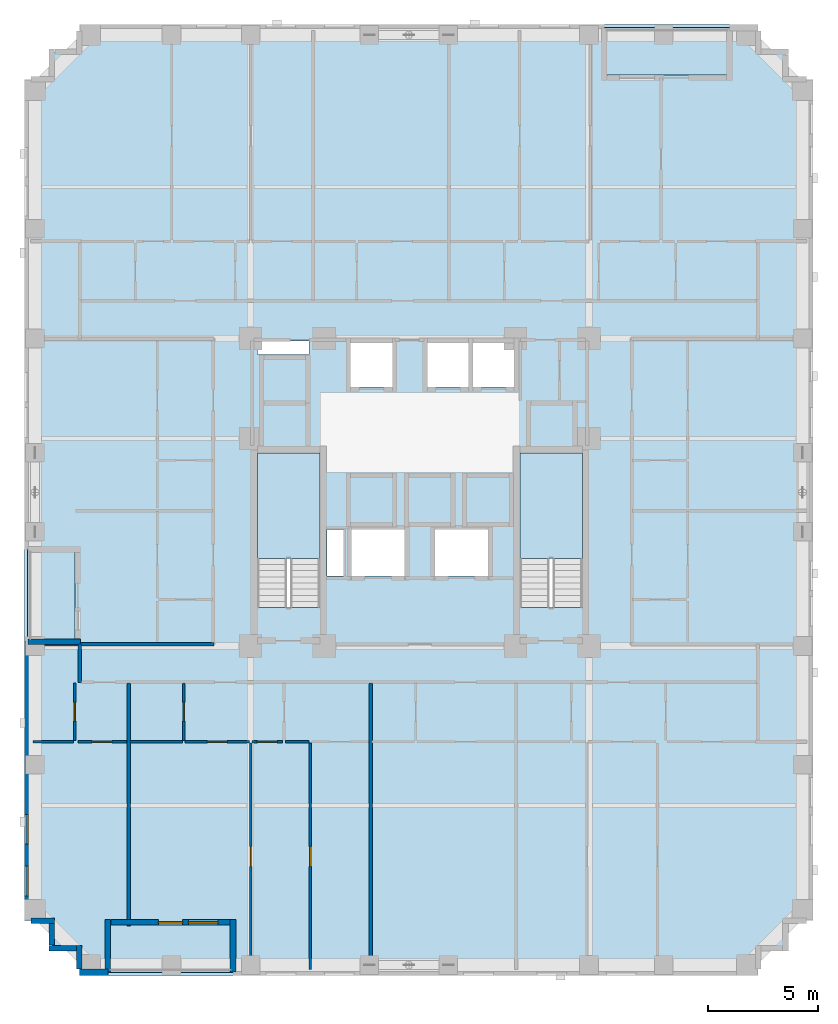
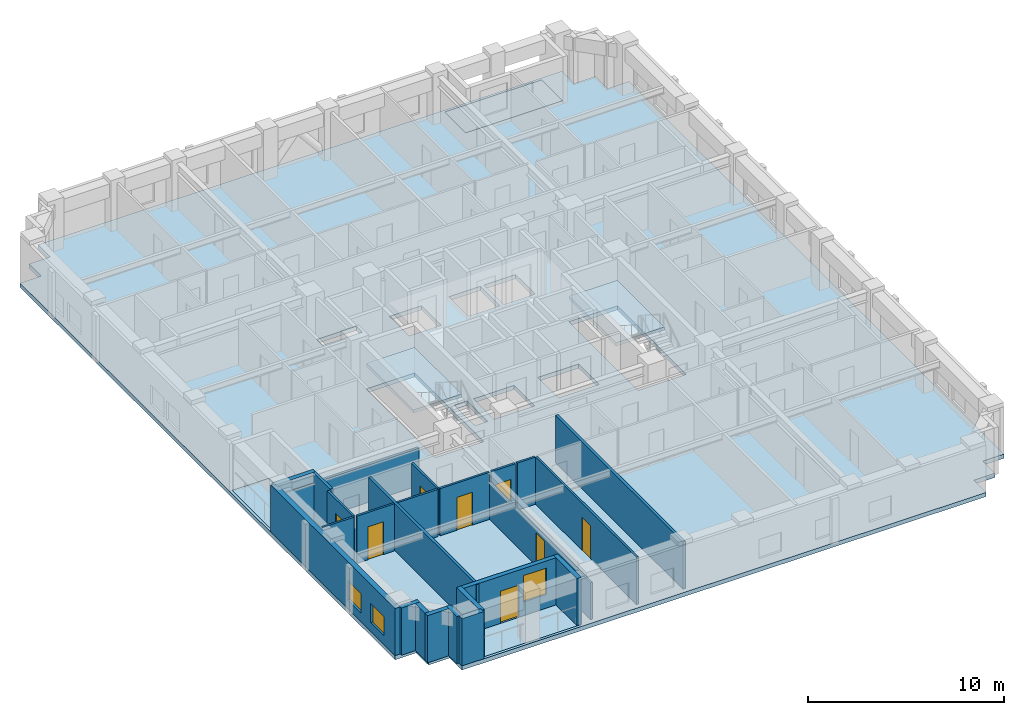
# One storey, part 2 of 12: 24 walls, 8 doors, 6 slabs, 3 windows, 11 openings, 2 elements without a shape of their own.
"""IFC4 building model written with IfcOpenShell, lengths in metres."""

from ifc_helpers import new_model, si_unit, derived_unit, direction, frame, frame_2d, origin, place, context, subcontext, project, spatial, polyline, rectangle, outline, extrude, material, layer, layer_set, type_object, element, fill, aggregate, save


model = new_model("IFC4")

# Units and contexts
model_context = context("Model", 3, precision=1e-05, world=origin(), true_north=direction((0.0, 1.0)))
body_context = subcontext(model_context, "Body", "Model", "MODEL_VIEW")
ifc_project = project(units=[si_unit("LENGTHUNIT", "METRE"), si_unit("AREAUNIT", "SQUARE_METRE"), si_unit("VOLUMEUNIT", "CUBIC_METRE"), si_unit("PLANEANGLEUNIT", "RADIAN"), si_unit("MASSUNIT", "GRAM", prefix="KILO"), derived_unit("THERMALTRANSMITTANCEUNIT", [(si_unit("MASSUNIT", "GRAM", prefix="KILO"), 1), (si_unit("TIMEUNIT", "SECOND"), -3), (si_unit("THERMODYNAMICTEMPERATUREUNIT", "KELVIN"), -1)])], contexts=[model_context])

# Site, building, storey
site_placement = place(None, origin())
site = spatial("IfcSite", under=ifc_project, at=site_placement, CompositionType="ELEMENT")
building_placement = place(site_placement, origin())
building = spatial("IfcBuilding", under=site, at=building_placement, Name="Korrvale Station Residences", CompositionType="ELEMENT")
storey_placement = place(building_placement, frame((0.0, 0.0, 94.300048828125)))
storey = spatial("IfcBuildingStorey", under=building, at=storey_placement, Name="L26", CompositionType="ELEMENT", Elevation=94.300048828125)

# Slabs
ifc_material_1 = material(Name="Concrete C50/60", Category="concrete")
ifc_layer_1 = layer(ifc_material_1, 0.219970703125, Name="Concrete C50/60")
ifc_layer_set_1 = layer_set([ifc_layer_1], Name="Concrete C50/60")
slab_type_1 = type_object("IfcSlabType", Name="SLB-BAL-220", PredefinedType="FLOOR", material=ifc_layer_set_1)
slab_1_placement = place(storey_placement, frame((0.0, 0.0, -0.219970703125)))
element("IfcSlab", 1, at=slab_1_placement, inside=storey, type_object=slab_type_1, Name="L26 Recessed Loggia Balcony Slab BAL-L26-S1", PredefinedType="FLOOR", context=body_context, shape_type="SweptSolid", body=[
    extrude(outline(polyline([(11.300048828125, 0.14990234375), (17.0, 0.14990234375), (17.0, 2.300048828125), (11.300048828125, 2.300048828125), (11.300048828125, 0.14990234375)])), origin(), (0.0, 0.0, 1.0), 0.219970703125),
])
slab_2_placement = place(storey_placement, frame((0.0, 0.0, -0.219970703125)))
element("IfcSlab", 2, at=slab_2_placement, inside=storey, type_object=slab_type_1, Name="L26 Recessed Loggia Balcony Slab BAL-L26-N1", PredefinedType="FLOOR", context=body_context, shape_type="SweptSolid", body=[
    extrude(outline(polyline([(33.89990234375, 41.0), (39.60009765625, 41.0), (39.60009765625, 43.14990234375), (33.89990234375, 43.14990234375), (33.89990234375, 41.0)])), origin(), (0.0, 0.0, 1.0), 0.219970703125),
])
slab_3_placement = place(storey_placement, frame((0.0, 0.0, -0.219970703125)))
element("IfcSlab", 3, at=slab_3_placement, inside=storey, type_object=slab_type_1, Name="L26 Recessed Loggia Balcony Slab BAL-L26-W1", PredefinedType="FLOOR", context=body_context, shape_type="SweptSolid", body=[
    extrude(outline(polyline([(7.64990234375, 15.199951171875), (9.800048828125, 15.199951171875), (9.800048828125, 19.39990234375), (7.64990234375, 19.39990234375), (7.64990234375, 15.199951171875)])), origin(), (0.0, 0.0, 1.0), 0.219970703125),
])
ifc_layer_2 = layer(ifc_material_1, 0.260009765625, Name="Concrete C50/60")
ifc_layer_set_2 = layer_set([ifc_layer_2], Name="Concrete C50/60")
slab_type_2 = type_object("IfcSlabType", Name="SLB-FLR-260", PredefinedType="FLOOR", material=ifc_layer_set_2)
slab_4_placement = place(storey_placement, frame((0.0, 0.0, -0.260009765625)))
element("IfcSlab", 4, at=slab_4_placement, inside=storey, type_object=slab_type_2, Name="L26 Suspended Structural Floor Slab", PredefinedType="FLOOR", context=body_context, shape_type="SweptSolid", body=[
    extrude(outline(polyline([(10.0, 0.0), (40.89990234375, 0.0), (40.89990234375, 1.25), (42.14990234375, 1.25), (42.14990234375, 2.5), (43.39990234375, 2.5), (43.39990234375, 40.800048828125), (42.14990234375, 40.800048828125), (42.14990234375, 42.050048828125), (40.89990234375, 42.050048828125), (40.89990234375, 43.300048828125), (10.0, 43.300048828125), (10.0, 42.050048828125), (8.75, 42.050048828125), (8.75, 40.800048828125), (7.5, 40.800048828125), (7.5, 2.5), (8.75, 2.5), (8.75, 1.25), (10.0, 1.25), (10.0, 0.0)]), holes=[polyline([(20.949951171875, 16.751953125), (20.949951171875, 23.800048828125), (18.10009765625, 23.800048828125), (18.10009765625, 16.751953125), (20.949951171875, 16.751953125)]), polyline([(32.89990234375, 16.751953125), (32.89990234375, 23.800048828125), (30.050048828125, 23.800048828125), (30.050048828125, 16.751953125), (32.89990234375, 16.751953125)]), polyline([(22.35009765625, 26.800048828125), (24.25, 26.800048828125), (24.25, 28.800048828125), (22.35009765625, 28.800048828125), (22.35009765625, 26.800048828125)]), polyline([(25.85009765625, 26.800048828125), (27.7099609375, 26.800048828125), (27.7099609375, 28.800048828125), (25.85009765625, 28.800048828125), (25.85009765625, 26.800048828125)]), polyline([(27.929931640625, 26.800048828125), (29.7900390625, 26.800048828125), (29.7900390625, 28.800048828125), (27.929931640625, 28.800048828125), (27.929931640625, 26.800048828125)]), polyline([(22.39990234375, 18.199951171875), (24.800048828125, 18.199951171875), (24.800048828125, 20.300048828125), (22.39990234375, 20.300048828125), (22.39990234375, 18.199951171875)]), polyline([(26.199951171875, 18.199951171875), (28.60009765625, 18.199951171875), (28.60009765625, 20.300048828125), (26.199951171875, 20.300048828125), (26.199951171875, 18.199951171875)]), polyline([(18.10009765625, 28.280029296875), (20.449951171875, 28.280029296875), (20.449951171875, 28.8798828125), (18.10009765625, 28.8798828125), (18.10009765625, 28.280029296875)]), polyline([(21.280029296875, 18.199951171875), (22.02001953125, 18.199951171875), (22.02001953125, 20.300048828125), (21.280029296875, 20.300048828125), (21.280029296875, 18.199951171875)]), polyline([(11.300048828125, 0.14990234375), (17.0, 0.14990234375), (17.0, 2.300048828125), (11.300048828125, 2.300048828125), (11.300048828125, 0.14990234375)]), polyline([(33.89990234375, 41.0), (39.60009765625, 41.0), (39.60009765625, 43.14990234375), (33.89990234375, 43.14990234375), (33.89990234375, 41.0)]), polyline([(7.64990234375, 15.199951171875), (9.800048828125, 15.199951171875), (9.800048828125, 19.39990234375), (7.64990234375, 19.39990234375), (7.64990234375, 15.199951171875)])]), origin(), (0.0, 0.0, 1.0), 0.260009765625),
])

# Stair, slab
stair_type = type_object("IfcStairType", Name="STR-DL-1350-18R-1778", PredefinedType="HALF_TURN_STAIR", material=ifc_material_1)
stair_1_placement = place(storey_placement, origin())
stair_1 = element("IfcStair", 5, at=stair_1_placement, inside=storey, type_object=stair_type, Name="L26 Exit Stair 1", PredefinedType="HALF_TURN_STAIR")
ifc_layer_3 = layer(ifc_material_1, 0.199951171875, Name="Concrete C50/60")
ifc_layer_set_3 = layer_set([ifc_layer_3], Name="Concrete C50/60")
slab_type_3 = type_object("IfcSlabType", Name="SLB-LND-200", PredefinedType="LANDING", material=ifc_layer_set_3)
slab_5_placement = place(storey_placement, frame((0.0, 0.0, 1.39990234375)))
slab_5 = element("IfcSlab", 6, at=slab_5_placement, type_object=slab_type_3, Name="ST-1 landing 1", PredefinedType="LANDING", context=body_context, shape_type="SweptSolid", body=[
    extrude(outline(polyline([(20.949951171875, 18.989990234375), (20.949951171875, 23.800048828125), (18.10009765625, 23.800048828125), (18.10009765625, 18.989990234375), (20.949951171875, 18.989990234375)])), origin(), (0.0, 0.0, 1.0), 0.199951171875),
])
aggregate(stair_1, [slab_5])

stair_2_placement = place(storey_placement, origin())
stair_2 = element("IfcStair", 7, at=stair_2_placement, inside=storey, type_object=stair_type, Name="L26 Exit Stair 2", PredefinedType="HALF_TURN_STAIR")
slab_6_placement = place(storey_placement, frame((0.0, 0.0, 1.39990234375)))
slab_6 = element("IfcSlab", 8, at=slab_6_placement, type_object=slab_type_3, Name="ST-2 landing 1", PredefinedType="LANDING", context=body_context, shape_type="SweptSolid", body=[
    extrude(outline(polyline([(32.89990234375, 18.989990234375), (32.89990234375, 23.800048828125), (30.050048828125, 23.800048828125), (30.050048828125, 18.989990234375), (32.89990234375, 18.989990234375)])), origin(), (0.0, 0.0, 1.0), 0.199951171875),
])
aggregate(stair_2, [slab_6])

# Wall
ifc_material_2 = material(Name="Precast concrete C45/55", Category="concrete")
ifc_layer_4 = layer(ifc_material_2, 0.260009765625, Name="Precast concrete C45/55")
ifc_layer_set_4 = layer_set([ifc_layer_4], Name="Precast concrete C45/55")
wall_type_1 = type_object("IfcWallType", Name="WAL-EXT-LOG260", PredefinedType="SOLIDWALL", material=ifc_layer_set_4)
wall_1_placement = place(storey_placement, frame((17.0, 0.159912109375, 0.0), z_axis=(0.0, 0.0, 1.0), x_axis=(0.0, 1.0, 0.0)))
element("IfcWall", 9, at=wall_1_placement, inside=storey, type_object=wall_type_1, Name="L26 Recessed Loggia Wall BAL-L26-S1-L", PredefinedType="SOLIDWALL", context=body_context, shape_type="SweptSolid", body=[
    extrude(rectangle(XDim=2.400146484375, YDim=0.260009765625, at=frame_2d((1.2001953125, 0.0))), origin(), (0.0, 0.0, 1.0), 2.93994140625),
])

# Wall, openings, door, window
wall_2_placement = place(storey_placement, frame((16.865966796875, 2.429931640625, 0.0), z_axis=(0.0, 0.0, 1.0), x_axis=(-1.0, 0.0, 0.0)))
wall_2 = element("IfcWall", 10, at=wall_2_placement, inside=storey, type_object=wall_type_1, Name="L26 Recessed Loggia Wall BAL-L26-S1-B", PredefinedType="SOLIDWALL", context=body_context, shape_type="SweptSolid", body=[
    extrude(rectangle(XDim=5.431884765625, YDim=0.260009765625, at=frame_2d((2.7158203125, 0.0))), origin(), (0.0, 0.0, 1.0), 2.93994140625),
])
opening_1_placement = place(wall_2_placement, frame((2.166015625, 0.0, 0.0)))
opening_1 = element("IfcOpeningElement", 11, at=opening_1_placement, cuts=wall_2, Name="Opening BD-01", PredefinedType="OPENING", context=body_context, shape_type="SweptSolid", body=[
    extrude(rectangle(XDim=1.10009765625, YDim=2.0, at=frame_2d((0.550048828125, 1.0))), frame((0.0, 0.14013671875, 0.0), z_axis=(0.0, -1.0, 0.0), x_axis=(1.0, 0.0, 0.0)), (0.0, 0.0, 1.0), 0.280029296875),
])
opening_2_placement = place(wall_2_placement, frame((0.555908203125, 0.0, 0.85009765625)))
opening_2 = element("IfcOpeningElement", 12, at=opening_2_placement, cuts=wall_2, Name="Opening W-06", PredefinedType="OPENING", context=body_context, shape_type="SweptSolid", body=[
    extrude(rectangle(XDim=1.35009765625, YDim=1.64990234375, at=frame_2d((0.675048828125, 0.824951171875))), frame((0.0, 0.14013671875, 0.0), z_axis=(0.0, -1.0, 0.0), x_axis=(1.0, 0.0, 0.0)), (0.0, 0.0, 1.0), 0.280029296875),
])
ifc_material_3 = material(Name="Exterior thermally broken aluminium glazed balcony door", Category="aluminium")
door_type_1 = type_object("IfcDoorType", Name="DR-EXT-BAL", OperationType="NOTDEFINED", PredefinedType="DOOR", material=ifc_material_3)
door_1_placement = place(opening_1_placement, origin())
door_1 = element("IfcDoor", 13, at=door_1_placement, inside=storey, type_object=door_type_1, Name="L26 Loggia Balcony Door BAL-L26-S1", OperationType="SINGLE_SWING_LEFT", OverallHeight=2.0, OverallWidth=1.10009765625, PredefinedType="DOOR", context=body_context, shape_type="SweptSolid", body=[
    extrude(rectangle(XDim=1.10009765625, YDim=2.0, at=frame_2d((0.550048828125, 1.0))), frame((0.0, 0.02490234375, 0.0), z_axis=(0.0, -1.0, 0.0), x_axis=(1.0, 0.0, 0.0)), (0.0, 0.0, 1.0), 0.050048828125),
])
fill(opening_1, door_1)
ifc_material_4 = material(Name="Thermally broken aluminium frame with triple low-e glazing", Category="aluminium")
window_type_1 = type_object("IfcWindowType", Name="WIN-W06", PartitioningType="SINGLE_PANEL", PredefinedType="WINDOW", material=ifc_material_4)
window_1_placement = place(opening_2_placement, origin())
window_1 = element("IfcWindow", 14, at=window_1_placement, inside=storey, type_object=window_type_1, Name="L26 Punched Window 03", OverallHeight=1.64990234375, OverallWidth=1.35009765625, PartitioningType="SINGLE_PANEL", PredefinedType="WINDOW", context=body_context, shape_type="SweptSolid", body=[
    extrude(rectangle(XDim=1.35009765625, YDim=1.64990234375, at=frame_2d((0.675048828125, 0.824951171875))), frame((0.0, 0.030029296875, 0.0), z_axis=(0.0, -1.0, 0.0), x_axis=(1.0, 0.0, 0.0)), (0.0, 0.0, 1.0), 0.06005859375),
])
fill(opening_2, window_1)

# Walls
for number, where, z_axis, x_axis, name in (
    (15, (11.300048828125, 2.56005859375, 0.0), (0.0, 0.0, 1.0), (0.0, -1.0, 0.0), "L26 Recessed Loggia Wall BAL-L26-S1-R"),
    (16, (7.659912109375, 15.199951171875, 0.0), (0.0, 0.0, 1.0), (1.0, 0.0, 0.0), "L26 Recessed Loggia Wall BAL-L26-W1-L"),
):
    element("IfcWall", number, at=place(storey_placement, frame(where, z_axis=z_axis, x_axis=x_axis)), inside=storey, type_object=wall_type_1, Name=name, PredefinedType="SOLIDWALL", context=body_context, shape_type="SweptSolid", body=[
        extrude(rectangle(XDim=2.400146484375, YDim=0.260009765625, at=frame_2d((1.2001953125, 0.0))), origin(), (0.0, 0.0, 1.0), 2.93994140625),
    ])
wall_3_placement = place(storey_placement, frame((10.0, 0.302001953125, 0.0), z_axis=(0.0, 0.0, 1.0), x_axis=(0.0, 1.0, 0.0)))
element("IfcWall", 17, at=wall_3_placement, inside=storey, type_object=wall_type_1, Name="L26 Serrated Corner Precast Step SW-1", PredefinedType="SOLIDWALL", context=body_context, shape_type="SweptSolid", body=[
    extrude(rectangle(XDim=1.077880859375, YDim=0.260009765625, at=frame_2d((0.5390625, 0.0))), origin(), (0.0, 0.0, 1.0), 2.93994140625),
])
wall_4_placement = place(storey_placement, frame((9.867919921875, 1.25, 0.0), z_axis=(0.0, 0.0, 1.0), x_axis=(-1.0, 0.0, 0.0)))
element("IfcWall", 18, at=wall_4_placement, inside=storey, type_object=wall_type_1, Name="L26 Serrated Corner Precast Step SW-2", PredefinedType="SOLIDWALL", context=body_context, shape_type="SweptSolid", body=[
    extrude(rectangle(XDim=1.247802734375, YDim=0.260009765625, at=frame_2d((0.6240234375, 0.0))), origin(), (0.0, 0.0, 1.0), 2.93994140625),
])
wall_5_placement = place(storey_placement, frame((8.75, 1.382080078125, 0.0), z_axis=(0.0, 0.0, 1.0), x_axis=(0.0, 1.0, 0.0)))
element("IfcWall", 19, at=wall_5_placement, inside=storey, type_object=wall_type_1, Name="L26 Serrated Corner Precast Step SW-3", PredefinedType="SOLIDWALL", context=body_context, shape_type="SweptSolid", body=[
    extrude(rectangle(XDim=0.98583984375, YDim=0.260009765625, at=frame_2d((0.492919921875, 0.0))), origin(), (0.0, 0.0, 1.0), 2.93994140625),
])
wall_6_placement = place(storey_placement, frame((8.8798828125, 2.5, 0.0), z_axis=(0.0, 0.0, 1.0), x_axis=(-1.0, 0.0, 0.0)))
element("IfcWall", 20, at=wall_6_placement, inside=storey, type_object=wall_type_1, Name="L26 Serrated Corner Precast Step SW-4", PredefinedType="SOLIDWALL", context=body_context, shape_type="SweptSolid", body=[
    extrude(rectangle(XDim=1.077880859375, YDim=0.260009765625, at=frame_2d((0.5390625, 0.0))), origin(), (0.0, 0.0, 1.0), 2.93994140625),
])
ifc_layer_5 = layer(ifc_material_2, 0.300048828125, Name="Precast concrete C45/55")
ifc_layer_set_5 = layer_set([ifc_layer_5], Name="Precast concrete C45/55")
wall_type_2 = type_object("IfcWallType", Name="WAL-EXT-PC300", PredefinedType="SOLIDWALL", material=ifc_layer_set_5)
wall_7_placement = place(storey_placement, frame((11.300048828125, 0.14990234375, 0.0), z_axis=(0.0, 0.0, 1.0), x_axis=(-1.0, 0.0, 0.0)))
element("IfcWall", 21, at=wall_7_placement, inside=storey, type_object=wall_type_2, Name="L26 South Exterior Precast Wall 2", PredefinedType="SOLIDWALL", context=body_context, shape_type="SweptSolid", body=[
    extrude(rectangle(XDim=1.300048828125, YDim=0.300048828125, at=frame_2d((0.64990234375, 0.0))), origin(), (0.0, 0.0, 1.0), 2.93994140625),
])

# Wall, openings, windows
wall_8_placement = place(storey_placement, frame((7.64990234375, 2.5, 0.0), z_axis=(0.0, 0.0, 1.0), x_axis=(0.0, 1.0, 0.0)))
wall_8 = element("IfcWall", 22, at=wall_8_placement, inside=storey, type_object=wall_type_2, Name="L26 West Exterior Precast Wall 1", PredefinedType="SOLIDWALL", context=body_context, shape_type="SweptSolid", body=[
    extrude(rectangle(XDim=12.699951171875, YDim=0.300048828125, at=frame_2d((6.35009765625, 0.0))), origin(), (0.0, 0.0, 1.0), 2.93994140625),
])
opening_3_placement = place(wall_8_placement, frame((3.48193359375, 0.0, 0.550048828125)))
opening_3 = element("IfcOpeningElement", 23, at=opening_3_placement, cuts=wall_8, Name="Opening W-10", PredefinedType="OPENING", context=body_context, shape_type="SweptSolid", body=[
    extrude(rectangle(XDim=1.35009765625, YDim=1.199951171875, at=frame_2d((0.675048828125, 0.60009765625))), frame((0.0, 0.16015625, 0.0), z_axis=(0.0, -1.0, 0.0), x_axis=(1.0, 0.0, 0.0)), (0.0, 0.0, 1.0), 0.320068359375),
])
opening_4_placement = place(wall_8_placement, frame((1.135009765625, 0.0, 0.550048828125)))
opening_4 = element("IfcOpeningElement", 24, at=opening_4_placement, cuts=wall_8, Name="Opening W-10", PredefinedType="OPENING", context=body_context, shape_type="SweptSolid", body=[
    extrude(rectangle(XDim=1.35009765625, YDim=1.199951171875, at=frame_2d((0.675048828125, 0.60009765625))), frame((0.0, 0.16015625, 0.0), z_axis=(0.0, -1.0, 0.0), x_axis=(1.0, 0.0, 0.0)), (0.0, 0.0, 1.0), 0.320068359375),
])
window_type_2 = type_object("IfcWindowType", Name="WIN-W10", PartitioningType="SINGLE_PANEL", PredefinedType="WINDOW", material=ifc_material_4)
window_2_placement = place(opening_3_placement, origin())
window_2 = element("IfcWindow", 25, at=window_2_placement, inside=storey, type_object=window_type_2, Name="L26 Punched Window 01", OverallHeight=1.199951171875, OverallWidth=1.35009765625, PartitioningType="SINGLE_PANEL", PredefinedType="WINDOW", context=body_context, shape_type="SweptSolid", body=[
    extrude(rectangle(XDim=1.35009765625, YDim=1.199951171875, at=frame_2d((0.675048828125, 0.60009765625))), frame((0.0, 0.030029296875, 0.0), z_axis=(0.0, -1.0, 0.0), x_axis=(1.0, 0.0, 0.0)), (0.0, 0.0, 1.0), 0.06005859375),
])
fill(opening_3, window_2)
window_3_placement = place(opening_4_placement, origin())
window_3 = element("IfcWindow", 26, at=window_3_placement, inside=storey, type_object=window_type_2, Name="L26 Punched Window 02", OverallHeight=1.199951171875, OverallWidth=1.35009765625, PartitioningType="SINGLE_PANEL", PredefinedType="WINDOW", context=body_context, shape_type="SweptSolid", body=[
    extrude(rectangle(XDim=1.35009765625, YDim=1.199951171875, at=frame_2d((0.675048828125, 0.60009765625))), frame((0.0, 0.030029296875, 0.0), z_axis=(0.0, -1.0, 0.0), x_axis=(1.0, 0.0, 0.0)), (0.0, 0.0, 1.0), 0.06005859375),
])
fill(opening_4, window_3)

# Wall, opening, door
ifc_material_5 = material(Name="Acoustic steel-stud gypsum board partition", Category="steel")
ifc_layer_6 = layer(ifc_material_5, 0.1201171875, Name="Acoustic steel-stud gypsum board partition")
ifc_layer_set_6 = layer_set([ifc_layer_6], Name="Acoustic steel-stud gypsum board partition")
wall_type_3 = type_object("IfcWallType", Name="WAL-PART-125", PredefinedType="PARTITIONING", material=ifc_layer_set_6)
wall_9_placement = place(storey_placement, frame((9.800048828125, 10.7099609375, 0.0), z_axis=(0.0, 0.0, 1.0), x_axis=(0.0, 1.0, 0.0)))
wall_9 = element("IfcWall", 27, at=wall_9_placement, inside=storey, type_object=wall_type_3, Name="L26 Suite Partition U01-V01", PredefinedType="PARTITIONING", context=body_context, shape_type="SweptSolid", body=[
    extrude(rectangle(XDim=2.60009765625, YDim=0.1201171875, at=frame_2d((1.300048828125, 0.0))), origin(), (0.0, 0.0, 1.0), 2.93994140625),
])
opening_5_placement = place(wall_9_placement, frame((0.8701171875, 0.0, 0.0)))
opening_5 = element("IfcOpeningElement", 28, at=opening_5_placement, cuts=wall_9, Name="Opening DB-860", PredefinedType="OPENING", context=body_context, shape_type="SweptSolid", body=[
    extrude(rectangle(XDim=0.860107421875, YDim=2.050048828125, at=frame_2d((0.43017578125, 1.02490234375))), frame((0.0, 0.070068359375, 0.0), z_axis=(0.0, -1.0, 0.0), x_axis=(1.0, 0.0, 0.0)), (0.0, 0.0, 1.0), 0.14013671875),
])
ifc_material_6 = material(Name="Moisture-resistant solid-core bathroom door", Category="timber")
door_type_2 = type_object("IfcDoorType", Name="DR-BATH-860", OperationType="NOTDEFINED", PredefinedType="DOOR", material=ifc_material_6)
door_2_placement = place(opening_5_placement, origin())
door_2 = element("IfcDoor", 29, at=door_2_placement, inside=storey, type_object=door_type_2, Name="L26 Studio Apartment L26-U01 Bathroom Door", OperationType="SINGLE_SWING_RIGHT", OverallHeight=2.050048828125, OverallWidth=0.860107421875, PredefinedType="DOOR", context=body_context, shape_type="SweptSolid", body=[
    extrude(rectangle(XDim=0.860107421875, YDim=2.050048828125, at=frame_2d((0.43017578125, 1.02490234375))), frame((0.0, 0.02490234375, 0.0), z_axis=(0.0, -1.0, 0.0), x_axis=(1.0, 0.0, 0.0)), (0.0, 0.0, 1.0), 0.050048828125),
])
fill(opening_5, door_2)

# Wall
wall_10_placement = place(storey_placement, frame((7.889892578125, 10.64990234375, 0.0), z_axis=(0.0, 0.0, 1.0), x_axis=(1.0, 0.0, 0.0)))
element("IfcWall", 30, at=wall_10_placement, inside=storey, type_object=wall_type_3, Name="L26 Suite Partition U01-H02", PredefinedType="PARTITIONING", context=body_context, shape_type="SweptSolid", body=[
    extrude(rectangle(XDim=1.85009765625, YDim=0.1201171875, at=frame_2d((0.925048828125, 0.0))), origin(), (0.0, 0.0, 1.0), 2.93994140625),
])

# Wall, opening, door
wall_11_placement = place(storey_placement, frame((9.929931640625, 10.64990234375, 0.0), z_axis=(0.0, 0.0, 1.0), x_axis=(1.0, 0.0, 0.0)))
wall_11 = element("IfcWall", 31, at=wall_11_placement, inside=storey, type_object=wall_type_3, Name="L26 Suite Partition U01-H12", PredefinedType="PARTITIONING", context=body_context, shape_type="SweptSolid", body=[
    extrude(rectangle(XDim=2.2099609375, YDim=0.1201171875, at=frame_2d((1.10498046875, 0.0))), origin(), (0.0, 0.0, 1.0), 2.93994140625),
])
opening_6_placement = place(wall_11_placement, frame((0.655029296875, 0.0, 0.0)))
opening_6 = element("IfcOpeningElement", 32, at=opening_6_placement, cuts=wall_11, Name="Opening DI-900", PredefinedType="OPENING", context=body_context, shape_type="SweptSolid", body=[
    extrude(rectangle(XDim=0.89990234375, YDim=2.050048828125, at=frame_2d((0.449951171875, 1.02490234375))), frame((0.0, 0.070068359375, 0.0), z_axis=(0.0, -1.0, 0.0), x_axis=(1.0, 0.0, 0.0)), (0.0, 0.0, 1.0), 0.14013671875),
])
ifc_material_7 = material(Name="Painted solid-core timber interior room door", Category="wood")
door_type_3 = type_object("IfcDoorType", Name="DR-INT-900", OperationType="NOTDEFINED", PredefinedType="DOOR", material=ifc_material_7)
door_3_placement = place(opening_6_placement, origin())
door_3 = element("IfcDoor", 33, at=door_3_placement, inside=storey, type_object=door_type_3, Name="L26 Studio Apartment L26-U01 Kitchen Door", OperationType="SINGLE_SWING_LEFT", OverallHeight=2.050048828125, OverallWidth=0.89990234375, PredefinedType="DOOR", context=body_context, shape_type="SweptSolid", body=[
    extrude(rectangle(XDim=0.89990234375, YDim=2.050048828125, at=frame_2d((0.449951171875, 1.02490234375))), frame((0.0, 0.02490234375, 0.0), z_axis=(0.0, -1.0, 0.0), x_axis=(1.0, 0.0, 0.0)), (0.0, 0.0, 1.0), 0.050048828125),
])
fill(opening_6, door_3)

wall_12_placement = place(storey_placement, frame((14.760009765625, 10.7099609375, 0.0), z_axis=(0.0, 0.0, 1.0), x_axis=(0.0, 1.0, 0.0)))
wall_12 = element("IfcWall", 34, at=wall_12_placement, inside=storey, type_object=wall_type_3, Name="L26 Suite Partition U02-V01", PredefinedType="PARTITIONING", context=body_context, shape_type="SweptSolid", body=[
    extrude(rectangle(XDim=2.60009765625, YDim=0.1201171875, at=frame_2d((1.300048828125, 0.0))), origin(), (0.0, 0.0, 1.0), 2.93994140625),
])
opening_7_placement = place(wall_12_placement, frame((0.8701171875, 0.0, 0.0)))
opening_7 = element("IfcOpeningElement", 35, at=opening_7_placement, cuts=wall_12, Name="Opening DB-860", PredefinedType="OPENING", context=body_context, shape_type="SweptSolid", body=[
    extrude(rectangle(XDim=0.860107421875, YDim=2.050048828125, at=frame_2d((0.43017578125, 1.02490234375))), frame((0.0, 0.070068359375, 0.0), z_axis=(0.0, -1.0, 0.0), x_axis=(1.0, 0.0, 0.0)), (0.0, 0.0, 1.0), 0.14013671875),
])
door_4_placement = place(opening_7_placement, origin())
door_4 = element("IfcDoor", 36, at=door_4_placement, inside=storey, type_object=door_type_2, Name="L26 Apartment 2BR L26-U02 Bathroom Door", OperationType="SINGLE_SWING_RIGHT", OverallHeight=2.050048828125, OverallWidth=0.860107421875, PredefinedType="DOOR", context=body_context, shape_type="SweptSolid", body=[
    extrude(rectangle(XDim=0.860107421875, YDim=2.050048828125, at=frame_2d((0.43017578125, 1.02490234375))), frame((0.0, 0.02490234375, 0.0), z_axis=(0.0, -1.0, 0.0), x_axis=(1.0, 0.0, 0.0)), (0.0, 0.0, 1.0), 0.050048828125),
])
fill(opening_7, door_4)

# Wall
wall_13_placement = place(storey_placement, frame((12.300048828125, 10.64990234375, 0.0), z_axis=(0.0, 0.0, 1.0), x_axis=(1.0, 0.0, 0.0)))
element("IfcWall", 37, at=wall_13_placement, inside=storey, type_object=wall_type_3, Name="L26 Suite Partition U02-H03", PredefinedType="PARTITIONING", context=body_context, shape_type="SweptSolid", body=[
    extrude(rectangle(XDim=2.39990234375, YDim=0.1201171875, at=frame_2d((1.199951171875, 0.0))), origin(), (0.0, 0.0, 1.0), 2.93994140625),
])

# Wall, opening, door
wall_14_placement = place(storey_placement, frame((14.820068359375, 10.64990234375, 0.0), z_axis=(0.0, 0.0, 1.0), x_axis=(1.0, 0.0, 0.0)))
wall_14 = element("IfcWall", 38, at=wall_14_placement, inside=storey, type_object=wall_type_3, Name="L26 Suite Partition U02-H13", PredefinedType="PARTITIONING", context=body_context, shape_type="SweptSolid", body=[
    extrude(rectangle(XDim=2.919921875, YDim=0.1201171875, at=frame_2d((1.4599609375, 0.0))), origin(), (0.0, 0.0, 1.0), 2.93994140625),
])
opening_8_placement = place(wall_14_placement, frame((1.010009765625, 0.0, 0.0)))
opening_8 = element("IfcOpeningElement", 39, at=opening_8_placement, cuts=wall_14, Name="Opening DI-900", PredefinedType="OPENING", context=body_context, shape_type="SweptSolid", body=[
    extrude(rectangle(XDim=0.89990234375, YDim=2.050048828125, at=frame_2d((0.449951171875, 1.02490234375))), frame((0.0, 0.070068359375, 0.0), z_axis=(0.0, -1.0, 0.0), x_axis=(1.0, 0.0, 0.0)), (0.0, 0.0, 1.0), 0.14013671875),
])
door_5_placement = place(opening_8_placement, origin())
door_5 = element("IfcDoor", 40, at=door_5_placement, inside=storey, type_object=door_type_3, Name="L26 Apartment 2BR L26-U02 Kitchen Door", OperationType="SINGLE_SWING_RIGHT", OverallHeight=2.050048828125, OverallWidth=0.89990234375, PredefinedType="DOOR", context=body_context, shape_type="SweptSolid", body=[
    extrude(rectangle(XDim=0.89990234375, YDim=2.050048828125, at=frame_2d((0.449951171875, 1.02490234375))), frame((0.0, 0.02490234375, 0.0), z_axis=(0.0, -1.0, 0.0), x_axis=(1.0, 0.0, 0.0)), (0.0, 0.0, 1.0), 0.050048828125),
])
fill(opening_8, door_5)

wall_15_placement = place(storey_placement, frame((17.860107421875, 10.64990234375, 0.0), z_axis=(0.0, 0.0, 1.0), x_axis=(1.0, 0.0, 0.0)))
wall_15 = element("IfcWall", 41, at=wall_15_placement, inside=storey, type_object=wall_type_3, Name="L26 Suite Partition U02-H14", PredefinedType="PARTITIONING", context=body_context, shape_type="SweptSolid", body=[
    extrude(rectangle(XDim=1.39990234375, YDim=0.1201171875, at=frame_2d((0.699951171875, 0.0))), origin(), (0.0, 0.0, 1.0), 2.93994140625),
])
opening_9_placement = place(wall_15_placement, frame((0.25, 0.0, 0.0)))
opening_9 = element("IfcOpeningElement", 42, at=opening_9_placement, cuts=wall_15, Name="Opening DI-900", PredefinedType="OPENING", context=body_context, shape_type="SweptSolid", body=[
    extrude(rectangle(XDim=0.89990234375, YDim=2.050048828125, at=frame_2d((0.449951171875, 1.02490234375))), frame((0.0, 0.070068359375, 0.0), z_axis=(0.0, -1.0, 0.0), x_axis=(1.0, 0.0, 0.0)), (0.0, 0.0, 1.0), 0.14013671875),
])
door_6_placement = place(opening_9_placement, origin())
door_6 = element("IfcDoor", 43, at=door_6_placement, inside=storey, type_object=door_type_3, Name="L26 Apartment 2BR L26-U02 Kitchen Door", OperationType="SINGLE_SWING_LEFT", OverallHeight=2.050048828125, OverallWidth=0.89990234375, PredefinedType="DOOR", context=body_context, shape_type="SweptSolid", body=[
    extrude(rectangle(XDim=0.89990234375, YDim=2.050048828125, at=frame_2d((0.449951171875, 1.02490234375))), frame((0.0, 0.02490234375, 0.0), z_axis=(0.0, -1.0, 0.0), x_axis=(1.0, 0.0, 0.0)), (0.0, 0.0, 1.0), 0.050048828125),
])
fill(opening_9, door_6)

# Wall
wall_16_placement = place(storey_placement, frame((19.3798828125, 10.64990234375, 0.0), z_axis=(0.0, 0.0, 1.0), x_axis=(1.0, 0.0, 0.0)))
element("IfcWall", 44, at=wall_16_placement, inside=storey, type_object=wall_type_3, Name="L26 Suite Partition U02-H24", PredefinedType="PARTITIONING", context=body_context, shape_type="SweptSolid", body=[
    extrude(rectangle(XDim=1.072998046875, YDim=0.1201171875, at=frame_2d((0.53662109375, 0.0))), origin(), (0.0, 0.0, 1.0), 2.93994140625),
])

# Wall, opening, door
wall_17_placement = place(storey_placement, frame((17.800048828125, 0.280029296875, 0.0), z_axis=(0.0, 0.0, 1.0), x_axis=(0.0, 1.0, 0.0)))
wall_17 = element("IfcWall", 45, at=wall_17_placement, inside=storey, type_object=wall_type_3, Name="L26 Suite Partition U02-V34", PredefinedType="PARTITIONING", context=body_context, shape_type="SweptSolid", body=[
    extrude(rectangle(XDim=10.31005859375, YDim=0.1201171875, at=frame_2d((5.155029296875, 0.0))), origin(), (0.0, 0.0, 1.0), 2.308837890625),
])
opening_10_placement = place(wall_17_placement, frame((4.68994140625, 0.0, 0.0)))
opening_10 = element("IfcOpeningElement", 46, at=opening_10_placement, cuts=wall_17, Name="Opening DI-900", PredefinedType="OPENING", context=body_context, shape_type="SweptSolid", body=[
    extrude(rectangle(XDim=0.89990234375, YDim=2.050048828125, at=frame_2d((0.449951171875, 1.02490234375))), frame((0.0, 0.070068359375, 0.0), z_axis=(0.0, -1.0, 0.0), x_axis=(1.0, 0.0, 0.0)), (0.0, 0.0, 1.0), 0.14013671875),
])
door_7_placement = place(opening_10_placement, origin())
door_7 = element("IfcDoor", 47, at=door_7_placement, inside=storey, type_object=door_type_3, Name="L26 Apartment 2BR L26-U02 Living and Dining Room Door", OperationType="SINGLE_SWING_LEFT", OverallHeight=2.050048828125, OverallWidth=0.89990234375, PredefinedType="DOOR", context=body_context, shape_type="SweptSolid", body=[
    extrude(rectangle(XDim=0.89990234375, YDim=2.050048828125, at=frame_2d((0.449951171875, 1.02490234375))), frame((0.0, 0.02490234375, 0.0), z_axis=(0.0, -1.0, 0.0), x_axis=(1.0, 0.0, 0.0)), (0.0, 0.0, 1.0), 0.050048828125),
])
fill(opening_10, door_7)

wall_18_placement = place(storey_placement, frame((20.512939453125, 0.280029296875, 0.0), z_axis=(0.0, 0.0, 1.0), x_axis=(0.0, 1.0, 0.0)))
wall_18 = element("IfcWall", 48, at=wall_18_placement, inside=storey, type_object=wall_type_3, Name="L26 Suite Partition U02-V45", PredefinedType="PARTITIONING", context=body_context, shape_type="SweptSolid", body=[
    extrude(rectangle(XDim=10.31005859375, YDim=0.1201171875, at=frame_2d((5.155029296875, 0.0))), origin(), (0.0, 0.0, 1.0), 2.93994140625),
])
opening_11_placement = place(wall_18_placement, frame((4.68994140625, 0.0, 0.0)))
opening_11 = element("IfcOpeningElement", 49, at=opening_11_placement, cuts=wall_18, Name="Opening DI-900", PredefinedType="OPENING", context=body_context, shape_type="SweptSolid", body=[
    extrude(rectangle(XDim=0.89990234375, YDim=2.050048828125, at=frame_2d((0.449951171875, 1.02490234375))), frame((0.0, 0.070068359375, 0.0), z_axis=(0.0, -1.0, 0.0), x_axis=(1.0, 0.0, 0.0)), (0.0, 0.0, 1.0), 0.14013671875),
])
door_8_placement = place(opening_11_placement, origin())
door_8 = element("IfcDoor", 50, at=door_8_placement, inside=storey, type_object=door_type_3, Name="L26 Apartment 2BR L26-U02 Bedroom 1 Door", OperationType="SINGLE_SWING_RIGHT", OverallHeight=2.050048828125, OverallWidth=0.89990234375, PredefinedType="DOOR", context=body_context, shape_type="SweptSolid", body=[
    extrude(rectangle(XDim=0.89990234375, YDim=2.050048828125, at=frame_2d((0.449951171875, 1.02490234375))), frame((0.0, 0.02490234375, 0.0), z_axis=(0.0, -1.0, 0.0), x_axis=(1.0, 0.0, 0.0)), (0.0, 0.0, 1.0), 0.050048828125),
])
fill(opening_11, door_8)

# Walls
ifc_material_8 = material(Name="Fire-rated twin-stud gypsum and mineral wool shaftwall assembly", Category="gypsum")
ifc_layer_7 = layer(ifc_material_8, 0.159912109375, Name="Fire-rated twin-stud gypsum and mineral wool shaftwall assembly")
ifc_layer_set_7 = layer_set([ifc_layer_7], Name="Fire-rated twin-stud gypsum and mineral wool shaftwall assembly")
wall_type_4 = type_object("IfcWallType", Name="WAL-PART-200", PredefinedType="PARTITIONING", material=ifc_layer_set_7)
wall_19_placement = place(storey_placement, frame((10.02001953125, 13.35009765625, 0.0), z_axis=(0.0, 0.0, 1.0), x_axis=(0.0, 1.0, 0.0)))
element("IfcWall", 51, at=wall_19_placement, inside=storey, type_object=wall_type_4, Name="L26 Corridor South West Cap", PredefinedType="PARTITIONING", context=body_context, shape_type="SweptSolid", body=[
    extrude(rectangle(XDim=1.739990234375, YDim=0.159912109375, at=frame_2d((0.8701171875, 0.0))), origin(), (0.0, 0.0, 1.0), 2.93994140625),
])
wall_20_placement = place(storey_placement, frame((7.780029296875, 15.090087890625, 0.0), z_axis=(0.0, 0.0, 1.0), x_axis=(1.0, 0.0, 0.0)))
element("IfcWall", 52, at=wall_20_placement, inside=storey, type_object=wall_type_4, Name="L26 West Wing South Corridor Wall", PredefinedType="PARTITIONING", context=body_context, shape_type="SweptSolid", body=[
    extrude(rectangle(XDim=8.35986328125, YDim=0.159912109375, at=frame_2d((4.179931640625, 0.0))), origin(), (0.0, 0.0, 1.0), 2.308837890625),
])
wall_21_placement = place(storey_placement, frame((12.239990234375, 2.260009765625, 0.0), z_axis=(0.0, 0.0, 1.0), x_axis=(0.0, 1.0, 0.0)))
element("IfcWall", 53, at=wall_21_placement, inside=storey, type_object=wall_type_4, Name="L26 Demising Wall U02-W", PredefinedType="PARTITIONING", context=body_context, shape_type="SweptSolid", body=[
    extrude(rectangle(XDim=11.050048828125, YDim=0.159912109375, at=frame_2d((5.52490234375, 0.0))), origin(), (0.0, 0.0, 1.0), 2.93994140625),
])
wall_22_placement = place(storey_placement, frame((23.264892578125, 0.280029296875, 0.0), z_axis=(0.0, 0.0, 1.0), x_axis=(0.0, 1.0, 0.0)))
element("IfcWall", 54, at=wall_22_placement, inside=storey, type_object=wall_type_4, Name="L26 Demising Wall U03-W", PredefinedType="PARTITIONING", context=body_context, shape_type="SweptSolid", body=[
    extrude(rectangle(XDim=13.030029296875, YDim=0.159912109375, at=frame_2d((6.51513671875, 0.0))), origin(), (0.0, 0.0, 1.0), 2.93994140625),
])

save(model, "model.ifc")
